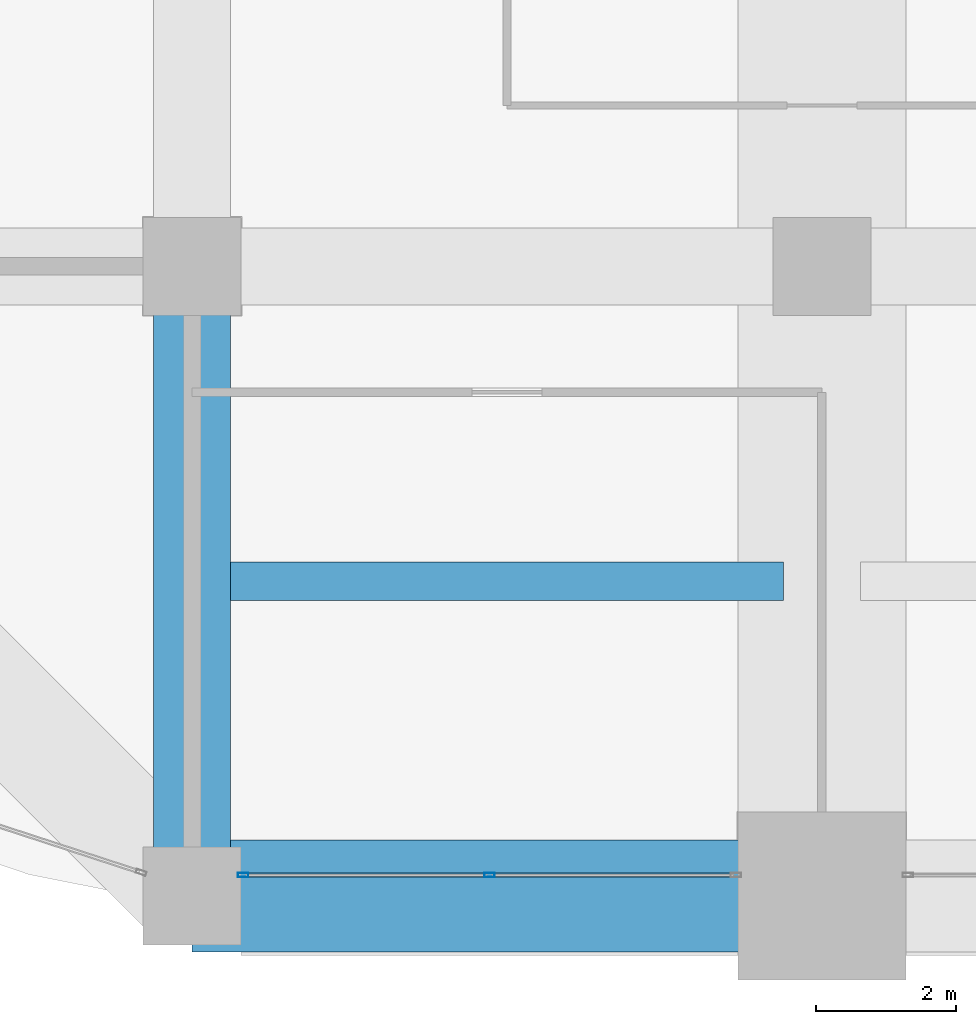
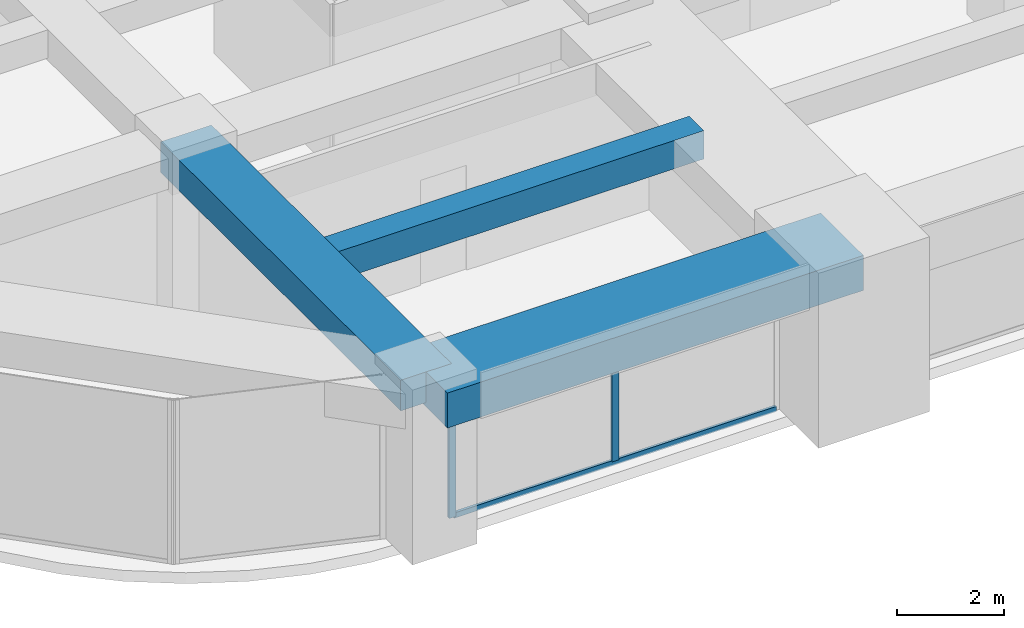
# One storey, part 3 of 34: 3 beams, 3 members, 1 element without a shape of its own.
"""IFC4 building model written with IfcOpenShell, lengths in metres."""

from ifc_helpers import new_model, si_unit, direction, frame, origin, origin_2d, place, context, subcontext, project, spatial, rectangle, hollow_rectangle, extrude, material, material_profile, profile_set, type_object, element, aggregate, save


model = new_model("IFC4")

# Units and contexts
model_context = context("Model", 3, precision=1e-05, world=origin(), true_north=direction((0.0, 1.0)))
body_context = subcontext(model_context, "Body", "Model", "MODEL_VIEW")
ifc_project = project(units=[si_unit("LENGTHUNIT", "METRE"), si_unit("AREAUNIT", "SQUARE_METRE"), si_unit("VOLUMEUNIT", "CUBIC_METRE"), si_unit("PLANEANGLEUNIT", "RADIAN"), si_unit("MASSUNIT", "GRAM", prefix="KILO")], contexts=[model_context])

# Site, building, storey
site_placement = place(None, origin())
site = spatial("IfcSite", under=ifc_project, at=site_placement, CompositionType="ELEMENT")
building_placement = place(site_placement, origin())
building = spatial("IfcBuilding", under=site, at=building_placement, Name="Zorevar Civic Tower", CompositionType="ELEMENT")
storey_placement = place(building_placement, frame((0.0, 0.0, 226.199951171875)))
storey = spatial("IfcBuildingStorey", under=building, at=storey_placement, Name="L55", CompositionType="ELEMENT", Elevation=226.199951171875)

# Beams
ifc_material_1 = material(Name="Concrete C50/60", Category="concrete")
ifc_material_profile_1 = material_profile(ifc_material_1, rectangle(XDim=1.10009765625, YDim=0.699951171875, at=origin_2d()), Name="RC 1100x700")
ifc_profile_set_1 = profile_set([ifc_material_profile_1], Name="Concrete C50/60")
beam_type_1 = type_object("IfcBeamType", Name="Beam RC 1100x700", PredefinedType="BEAM", material=ifc_profile_set_1)
beam_1_placement = place(storey_placement, frame((9.0, 0.0, 3.400146484375), z_axis=(0.0, 1.0, 0.0), x_axis=(-1.0, 0.0, 0.0)))
element("IfcBeam", 1, at=beam_1_placement, inside=storey, type_object=beam_type_1, Name="Girder L56", PredefinedType="BEAM", context=body_context, shape_type="SweptSolid", body=[
    extrude(rectangle(XDim=1.10009765625, YDim=0.699951171875, at=origin_2d()), origin(), (0.0, 0.0, 1.0), 9.0),
])
ifc_material_2 = material(Name="Concrete C50/60", Category="concrete")
ifc_material_profile_2 = material_profile(ifc_material_2, rectangle(XDim=0.550048828125, YDim=0.64990234375, at=origin_2d()), Name="RC 550x650")
ifc_profile_set_2 = profile_set([ifc_material_profile_2], Name="Concrete C50/60")
beam_type_2 = type_object("IfcBeamType", Name="Beam RC 550x650", PredefinedType="BEAM", material=ifc_profile_set_2)
beam_2_placement = place(storey_placement, frame((9.550048828125, 4.5, 3.425048828125), z_axis=(1.0, 0.0, 0.0), x_axis=(0.0, 1.0, 0.0)))
element("IfcBeam", 2, at=beam_2_placement, inside=storey, type_object=beam_type_2, Name="Secondary beam L56", PredefinedType="BEAM", context=body_context, shape_type="SweptSolid", body=[
    extrude(rectangle(XDim=0.550048828125, YDim=0.64990234375, at=origin_2d()), origin(), (0.0, 0.0, 1.0), 7.89990234375),
])

# Curtain wall, members
ifc_material_3 = material(Name="Dark grey solar-control glass in black aluminium frame", Category="aluminium")
curtain_wall_type = type_object("IfcCurtainWallType", Name="Curtain wall CW4 high zone", PredefinedType="NOTDEFINED", material=ifc_material_3)
curtain_wall_placement = place(storey_placement, origin())
curtain_wall = element("IfcCurtainWall", 3, at=curtain_wall_placement, inside=storey, type_object=curtain_wall_type, Name="CW4 L55", PredefinedType="NOTDEFINED")
ifc_material_4 = material(Name="Aluminium, black anodised", Category="aluminium")
ifc_material_profile_3 = material_profile(ifc_material_4, hollow_rectangle(XDim=0.06005859375, YDim=0.14990234375, WallThickness=0.00390625, at=origin_2d()), Name="AL 150x60x4")
ifc_profile_set_3 = profile_set([ifc_material_profile_3], Name="Aluminium, black anodised")
member_type_1 = type_object("IfcMemberType", Name="CW4 mullion AL 150x60x4", PredefinedType="MULLION", material=ifc_profile_set_3)
member_1_placement = place(storey_placement, frame((9.72998046875, 0.300048828125, 0.0), z_axis=(0.0, 0.0, 1.0), x_axis=(0.0, 1.0, 0.0)))
member_1 = element("IfcMember", 4, at=member_1_placement, type_object=member_type_1, Name="CW4 mullion 1", PredefinedType="MULLION", context=body_context, shape_type="SweptSolid", body=[
    extrude(hollow_rectangle(XDim=0.06005859375, YDim=0.14990234375, WallThickness=0.00390625, at=origin_2d()), origin(), (0.0, 0.0, 1.0), 2.949951171875),
])
member_2_placement = place(storey_placement, frame((13.25, 0.300048828125, 0.06005859375), z_axis=(0.0, 0.0, 1.0), x_axis=(0.0, 1.0, 0.0)))
member_2 = element("IfcMember", 5, at=member_2_placement, type_object=member_type_1, Name="CW4 mullion 2", PredefinedType="MULLION", context=body_context, shape_type="SweptSolid", body=[
    extrude(hollow_rectangle(XDim=0.06005859375, YDim=0.14990234375, WallThickness=0.00390625, at=origin_2d()), origin(), (0.0, 0.0, 1.0), 2.889892578125),
])
ifc_material_5 = material(Name="Aluminium, black anodised", Category="aluminium")
ifc_material_profile_4 = material_profile(ifc_material_5, hollow_rectangle(XDim=0.06005859375, YDim=0.1201171875, WallThickness=0.0029296875, at=origin_2d()), Name="AL 120x60x3")
ifc_profile_set_4 = profile_set([ifc_material_profile_4], Name="Aluminium, black anodised")
member_type_2 = type_object("IfcMemberType", Name="CW4 transom AL 120x60x3", PredefinedType="USERDEFINED", material=ifc_profile_set_4)
member_3_placement = place(storey_placement, frame((9.760009765625, 0.300048828125, 0.030029296875), z_axis=(1.0, 0.0, 0.0), x_axis=(0.0, 1.0, 0.0)))
member_3 = element("IfcMember", 6, at=member_3_placement, type_object=member_type_2, Name="CW4 sill transom", ObjectType="TRANSOM", PredefinedType="USERDEFINED", context=body_context, shape_type="SweptSolid", body=[
    extrude(hollow_rectangle(XDim=0.06005859375, YDim=0.1201171875, WallThickness=0.0029296875, at=origin_2d()), origin(), (0.0, 0.0, 1.0), 6.97998046875),
])
aggregate(curtain_wall, [member_1, member_2, member_3])

# Beam
ifc_material_6 = material(Name="Concrete C50/60", Category="concrete")
ifc_material_profile_5 = material_profile(ifc_material_6, rectangle(XDim=1.60009765625, YDim=0.800048828125, at=origin_2d()), Name="RC 1600x800")
ifc_profile_set_5 = profile_set([ifc_material_profile_5], Name="Concrete C50/60")
beam_type_3 = type_object("IfcBeamType", Name="Edge beam RC 1600x800", PredefinedType="SPANDREL", material=ifc_profile_set_5)
beam_3_placement = place(storey_placement, frame((9.0, 0.0, 3.35009765625), z_axis=(1.0, 0.0, 0.0), x_axis=(0.0, 1.0, 0.0)))
element("IfcBeam", 7, at=beam_3_placement, inside=storey, type_object=beam_type_3, Name="Edge beam L56", PredefinedType="SPANDREL", context=body_context, shape_type="SweptSolid", body=[
    extrude(rectangle(XDim=1.60009765625, YDim=0.800048828125, at=origin_2d()), origin(), (0.0, 0.0, 1.0), 9.0),
])

save(model, "model.ifc")
